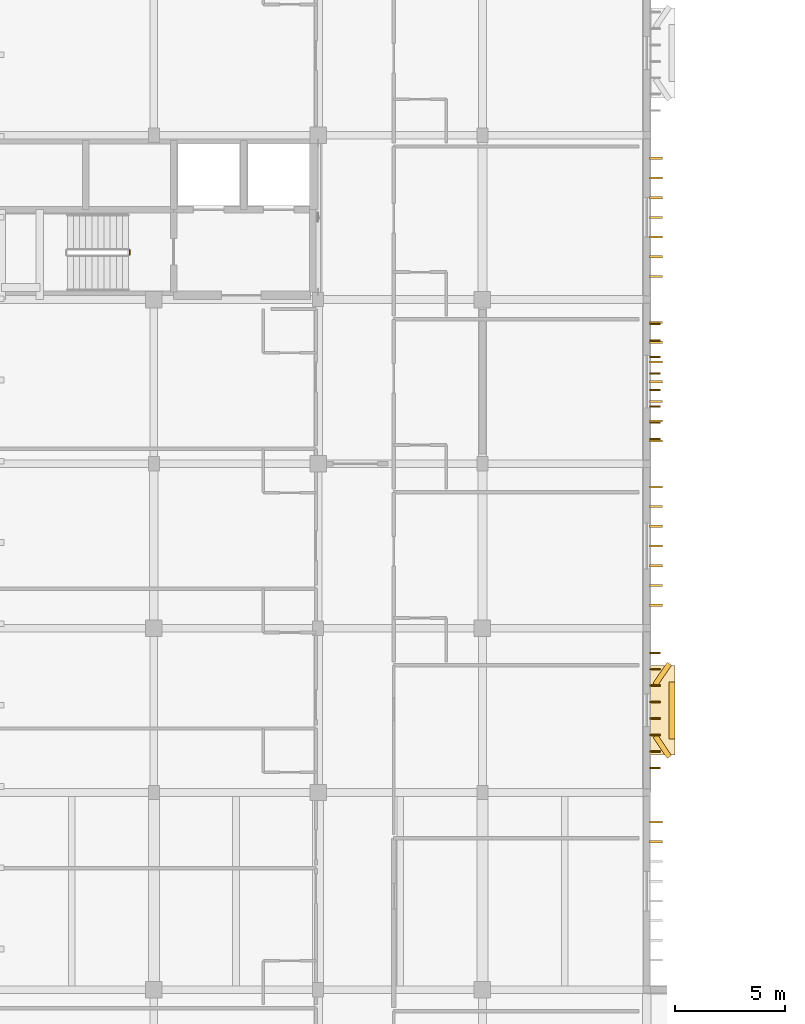
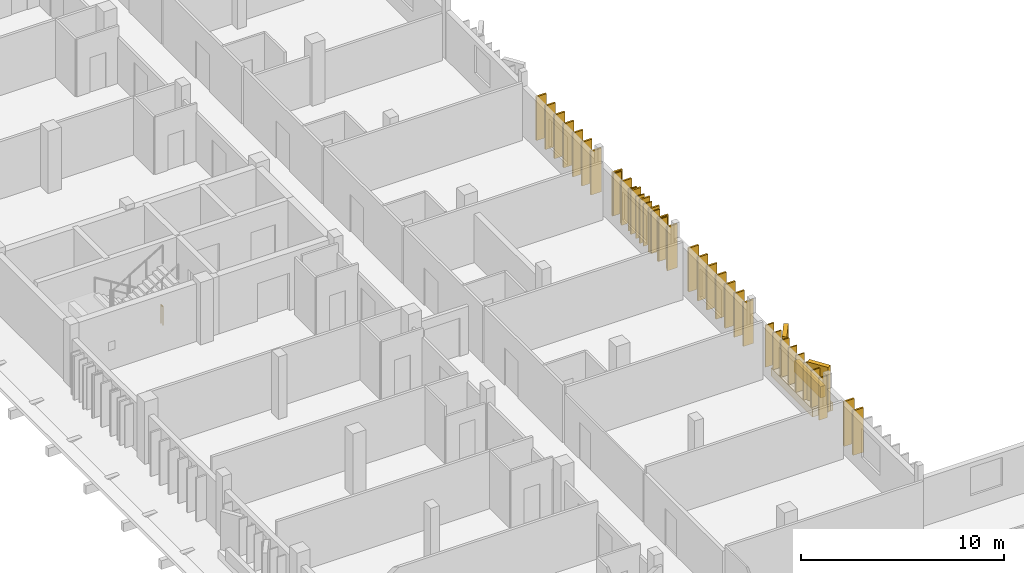
# One storey, part 32 of 43: 27 coverings, 16 shading devices, 1 railing.
"""IFC4 building model written with IfcOpenShell, lengths in metres."""

from ifc_helpers import new_model, si_unit, direction, frame, origin, origin_2d, place, context, subcontext, project, spatial, rectangle, circle, extrude, material, layer, layer_set, type_object, element, save


model = new_model("IFC4")

# Units and contexts
model_context = context("Model", 3, precision=1e-05, world=origin(), true_north=direction((0.0, 1.0)))
body_context = subcontext(model_context, "Body", "Model", "MODEL_VIEW")
ifc_project = project(units=[si_unit("LENGTHUNIT", "METRE"), si_unit("AREAUNIT", "SQUARE_METRE"), si_unit("VOLUMEUNIT", "CUBIC_METRE"), si_unit("PLANEANGLEUNIT", "RADIAN"), si_unit("MASSUNIT", "GRAM", prefix="KILO")], contexts=[model_context])

# Site, building, storey
site_placement = place(None, origin())
site = spatial("IfcSite", under=ifc_project, at=site_placement, CompositionType="ELEMENT")
building_placement = place(site_placement, origin())
building = spatial("IfcBuilding", under=site, at=building_placement, Name="Dalvernix Boulevard General Hospital", CompositionType="ELEMENT")
storey_placement = place(building_placement, frame((0.0, 0.0, 14.10009765625)))
storey = spatial("IfcBuildingStorey", under=building, at=storey_placement, Name="L03", CompositionType="ELEMENT", Elevation=14.10009765625)

# Coverings
ifc_material_1 = material(Name="Polychrome glazed Catalan trencadis ceramic faceted bay spandrel")
ifc_layer_1 = layer(ifc_material_1, 0.280029296875)
ifc_layer_set_1 = layer_set([ifc_layer_1], Name="Polychrome glazed Catalan trencadis ceramic faceted bay spandrel (COV-BAY-01)")
covering_type_1 = type_object("IfcCoveringType", Name="COV-BAY-01", PredefinedType="CLADDING", material=ifc_layer_set_1)
covering_1_placement = place(storey_placement, frame((31.159912109375, 35.25, 0.3798828125), z_axis=(0.0, 0.0, 1.0), x_axis=(0.0, -1.0, 0.0)))
element("IfcCovering", 1, at=covering_1_placement, inside=storey, type_object=covering_type_1, Name="L03 projecting faceted trencadis bay spandrel E 4-4", PredefinedType="CLADDING", context=body_context, shape_type="SweptSolid", body=[
    extrude(rectangle(XDim=2.60009765625, YDim=0.280029296875, at=origin_2d()), origin(), (0.0, 0.0, 1.0), 0.679931640625),
])
for number, where, z_axis, x_axis, name in (
    (2, (30.7099609375, 36.89990234375, 0.079833984375), (0.0, 0.0, 1.0), (-0.559192903471, -0.829037572555, 0.0), "L03 projecting faceted Catalan bay cheek E 4-4-L"),
    (3, (30.7099609375, 33.60009765625, 0.079833984375), (0.0, 0.0, 1.0), (0.559192903471, -0.829037572555, 0.0), "L03 projecting faceted Catalan bay cheek E 4-4-R"),
):
    element("IfcCovering", number, at=place(storey_placement, frame(where, z_axis=z_axis, x_axis=x_axis)), inside=storey, type_object=covering_type_1, Name=name, PredefinedType="CLADDING", context=body_context, shape_type="SweptSolid", body=[
        extrude(rectangle(XDim=1.14990234375, YDim=0.239990234375, at=origin_2d()), origin(), (0.0, 0.0, 1.0), 2.7099609375),
    ])
ifc_material_2 = material(Name="Dressed ochre limestone classical plinth, stringcourse and corbelled cornice", Category="masonry")
ifc_layer_2 = layer(ifc_material_2, 0.449951171875)
ifc_layer_set_2 = layer_set([ifc_layer_2], Name="Dressed ochre limestone classical plinth, stringcourse and corbelled cornice (COV-CRN-01)")
covering_type_2 = type_object("IfcCoveringType", Name="COV-CRN-01", PredefinedType="CLADDING", material=ifc_layer_set_2)
covering_2_placement = place(storey_placement, frame((30.705078125, 35.25, 0.0), z_axis=(0.0, 0.0, 1.0), x_axis=(0.0, -1.0, 0.0)))
element("IfcCovering", 4, at=covering_2_placement, inside=storey, type_object=covering_type_2, Name="L03 projecting Catalan bay corbel base E 4-4", PredefinedType="CLADDING", context=body_context, shape_type="SweptSolid", body=[
    extrude(rectangle(XDim=4.10009765625, YDim=1.14990234375, at=origin_2d()), origin(), (0.0, 0.0, 1.0), 0.47998046875),
])
ifc_material_3 = material(Name="Terracotta-clad iroko timber brise-soleil sun-breaker fin", Category="masonry")
ifc_layer_3 = layer(ifc_material_3, 0.10009765625)
ifc_layer_set_3 = layer_set([ifc_layer_3], Name="Terracotta-clad iroko timber brise-soleil sun-breaker fin (COV-FIN-02)")
covering_type_3 = type_object("IfcCoveringType", Name="COV-FIN-02", PredefinedType="CLADDING", material=ifc_layer_set_3)
for number, where, z_axis, x_axis, name in (
    (5, (30.419921875, 30.14990234375, 0.1201171875), (0.0, 0.0, 1.0), (0.0, -1.0, 0.0), "L03 terracotta brise-soleil fin E 4-3-1"),
    (6, (30.419921875, 29.25, 0.1201171875), (0.0, 0.0, 1.0), (0.0, -1.0, 0.0), "L03 terracotta brise-soleil fin E 4-3-2"),
):
    element("IfcCovering", number, at=place(storey_placement, frame(where, z_axis=z_axis, x_axis=x_axis)), inside=storey, type_object=covering_type_3, Name=name, PredefinedType="CLADDING", context=body_context, shape_type="SweptSolid", body=[
        extrude(rectangle(XDim=0.10009765625, YDim=0.580078125, at=origin_2d()), origin(), (0.0, 0.0, 1.0), 2.679931640625),
    ])
for number, where, z_axis, x_axis, name in (
    (7, (30.419921875, 45.449951171875, 0.119873046875), (0.0, 0.0, 1.0), (0.0, -1.0, 0.0), "L03 terracotta brise-soleil fin E 4-5-1"),
    (8, (30.419921875, 44.550048828125, 0.119873046875), (0.0, 0.0, 1.0), (0.0, -1.0, 0.0), "L03 terracotta brise-soleil fin E 4-5-2"),
    (9, (30.419921875, 43.64990234375, 0.119873046875), (0.0, 0.0, 1.0), (0.0, -1.0, 0.0), "L03 terracotta brise-soleil fin E 4-5-3"),
    (10, (30.419921875, 42.75, 0.119873046875), (0.0, 0.0, 1.0), (0.0, -1.0, 0.0), "L03 terracotta brise-soleil fin E 4-5-4"),
    (11, (30.419921875, 41.85009765625, 0.119873046875), (0.0, 0.0, 1.0), (0.0, -1.0, 0.0), "L03 terracotta brise-soleil fin E 4-5-5"),
    (12, (30.419921875, 40.949951171875, 0.119873046875), (0.0, 0.0, 1.0), (0.0, -1.0, 0.0), "L03 terracotta brise-soleil fin E 4-5-6"),
    (13, (30.419921875, 40.050048828125, 0.119873046875), (0.0, 0.0, 1.0), (0.0, -1.0, 0.0), "L03 terracotta brise-soleil fin E 4-5-7"),
    (14, (30.419921875, 52.949951171875, 0.119873046875), (0.0, 0.0, 1.0), (0.0, -1.0, 0.0), "L03 terracotta brise-soleil fin E 4-6-1"),
    (15, (30.419921875, 52.050048828125, 0.119873046875), (0.0, 0.0, 1.0), (0.0, -1.0, 0.0), "L03 terracotta brise-soleil fin E 4-6-2"),
    (16, (30.419921875, 51.14990234375, 0.119873046875), (0.0, 0.0, 1.0), (0.0, -1.0, 0.0), "L03 terracotta brise-soleil fin E 4-6-3"),
    (17, (30.419921875, 50.25, 0.119873046875), (0.0, 0.0, 1.0), (0.0, -1.0, 0.0), "L03 terracotta brise-soleil fin E 4-6-4"),
    (18, (30.419921875, 49.35009765625, 0.119873046875), (0.0, 0.0, 1.0), (0.0, -1.0, 0.0), "L03 terracotta brise-soleil fin E 4-6-5"),
    (19, (30.419921875, 48.449951171875, 0.119873046875), (0.0, 0.0, 1.0), (0.0, -1.0, 0.0), "L03 terracotta brise-soleil fin E 4-6-6"),
    (20, (30.419921875, 47.550048828125, 0.119873046875), (0.0, 0.0, 1.0), (0.0, -1.0, 0.0), "L03 terracotta brise-soleil fin E 4-6-7"),
    (21, (30.419921875, 60.449951171875, 0.119873046875), (0.0, 0.0, 1.0), (0.0, -1.0, 0.0), "L03 terracotta brise-soleil fin E 4-7-1"),
    (22, (30.419921875, 59.550048828125, 0.119873046875), (0.0, 0.0, 1.0), (0.0, -1.0, 0.0), "L03 terracotta brise-soleil fin E 4-7-2"),
    (23, (30.419921875, 58.64990234375, 0.119873046875), (0.0, 0.0, 1.0), (0.0, -1.0, 0.0), "L03 terracotta brise-soleil fin E 4-7-3"),
    (24, (30.419921875, 57.75, 0.119873046875), (0.0, 0.0, 1.0), (0.0, -1.0, 0.0), "L03 terracotta brise-soleil fin E 4-7-4"),
    (25, (30.419921875, 56.85009765625, 0.119873046875), (0.0, 0.0, 1.0), (0.0, -1.0, 0.0), "L03 terracotta brise-soleil fin E 4-7-5"),
    (26, (30.419921875, 55.949951171875, 0.119873046875), (0.0, 0.0, 1.0), (0.0, -1.0, 0.0), "L03 terracotta brise-soleil fin E 4-7-6"),
    (27, (30.419921875, 55.050048828125, 0.119873046875), (0.0, 0.0, 1.0), (0.0, -1.0, 0.0), "L03 terracotta brise-soleil fin E 4-7-7"),
):
    element("IfcCovering", number, at=place(storey_placement, frame(where, z_axis=z_axis, x_axis=x_axis)), inside=storey, type_object=covering_type_3, Name=name, PredefinedType="CLADDING", context=body_context, shape_type="SweptSolid", body=[
        extrude(rectangle(XDim=0.10009765625, YDim=0.580078125, at=origin_2d()), origin(), (0.0, 0.0, 1.0), 2.6298828125),
    ])

# Railing
ifc_material_4 = material(Name="Brushed stainless steel balustrade", Category="steel")
railing_type = type_object("IfcRailingType", Name="RL-GR-INT1", PredefinedType="BALUSTRADE", material=ifc_material_4)
railing_placement = place(storey_placement, frame((6.39990234375, 56.25, 0.0)))
element("IfcRailing", 28, at=railing_placement, inside=storey, type_object=railing_type, Name="L03 ST-02 stair guard 4", PredefinedType="BALUSTRADE", context=body_context, shape_type="SweptSolid", body=[
    extrude(circle(Radius=0.02392578125, at=origin_2d()), frame((0.0, 0.0, 1.09619140625), z_axis=(0.0, -1.0, 0.0), x_axis=(1.0, 0.0, 0.0)), (0.0, 0.0, 1.0), 0.199951171875),
    extrude(circle(Radius=0.02099609375, at=origin_2d()), origin(), (0.0, 0.0, 1.0), 1.072021484375),
    extrude(circle(Radius=0.02099609375, at=origin_2d()), frame((0.0, -0.199951171875, 0.0)), (0.0, 0.0, 1.0), 1.072021484375),
])

# Shading devices
ifc_material_5 = material(Name="Preservative-treated West African iroko timber", Category="wood")
shading_device_type = type_object("IfcShadingDeviceType", Name="SHD-FIN-01", PredefinedType="USERDEFINED", material=ifc_material_5)
for number, where, z_axis, x_axis, name in (
    (29, (30.3798828125, 37.875, 0.1748046875), (0.0, 0.0, 1.0), (0.0, -1.0, 0.0), "L03 iroko brise-soleil fin 1"),
    (30, (30.3798828125, 37.125, 0.1748046875), (0.0, 0.0, 1.0), (0.0, -1.0, 0.0), "L03 iroko brise-soleil fin 2"),
    (31, (30.3798828125, 36.375, 0.1748046875), (0.0, 0.0, 1.0), (0.0, -1.0, 0.0), "L03 iroko brise-soleil fin 3"),
    (32, (30.3798828125, 35.625, 0.1748046875), (0.0, 0.0, 1.0), (0.0, -1.0, 0.0), "L03 iroko brise-soleil fin 4"),
    (33, (30.3798828125, 34.875, 0.1748046875), (0.0, 0.0, 1.0), (0.0, -1.0, 0.0), "L03 iroko brise-soleil fin 5"),
    (34, (30.3798828125, 34.125, 0.1748046875), (0.0, 0.0, 1.0), (0.0, -1.0, 0.0), "L03 iroko brise-soleil fin 6"),
    (35, (30.3798828125, 33.375, 0.1748046875), (0.0, 0.0, 1.0), (0.0, -1.0, 0.0), "L03 iroko brise-soleil fin 7"),
    (36, (30.3798828125, 32.625, 0.1748046875), (0.0, 0.0, 1.0), (0.0, -1.0, 0.0), "L03 iroko brise-soleil fin 8"),
    (37, (30.3798828125, 52.875, 0.1748046875), (0.0, 0.0, 1.0), (0.0, -1.0, 0.0), "L03 iroko brise-soleil fin 1"),
    (38, (30.3798828125, 52.125, 0.1748046875), (0.0, 0.0, 1.0), (0.0, -1.0, 0.0), "L03 iroko brise-soleil fin 2"),
    (39, (30.3798828125, 51.375, 0.1748046875), (0.0, 0.0, 1.0), (0.0, -1.0, 0.0), "L03 iroko brise-soleil fin 3"),
    (40, (30.3798828125, 50.625, 0.1748046875), (0.0, 0.0, 1.0), (0.0, -1.0, 0.0), "L03 iroko brise-soleil fin 4"),
    (41, (30.3798828125, 49.875, 0.1748046875), (0.0, 0.0, 1.0), (0.0, -1.0, 0.0), "L03 iroko brise-soleil fin 5"),
    (42, (30.3798828125, 49.125, 0.1748046875), (0.0, 0.0, 1.0), (0.0, -1.0, 0.0), "L03 iroko brise-soleil fin 6"),
    (43, (30.3798828125, 48.375, 0.1748046875), (0.0, 0.0, 1.0), (0.0, -1.0, 0.0), "L03 iroko brise-soleil fin 7"),
    (44, (30.3798828125, 47.625, 0.1748046875), (0.0, 0.0, 1.0), (0.0, -1.0, 0.0), "L03 iroko brise-soleil fin 8"),
):
    element("IfcShadingDevice", number, at=place(storey_placement, frame(where, z_axis=z_axis, x_axis=x_axis)), inside=storey, type_object=shading_device_type, Name=name, ObjectType="FIN", PredefinedType="USERDEFINED", context=body_context, shape_type="SweptSolid", body=[
        extrude(rectangle(XDim=0.06494140625, YDim=0.47998046875, at=origin_2d()), origin(), (0.0, 0.0, 1.0), 2.52001953125),
    ])

save(model, "model.ifc")
